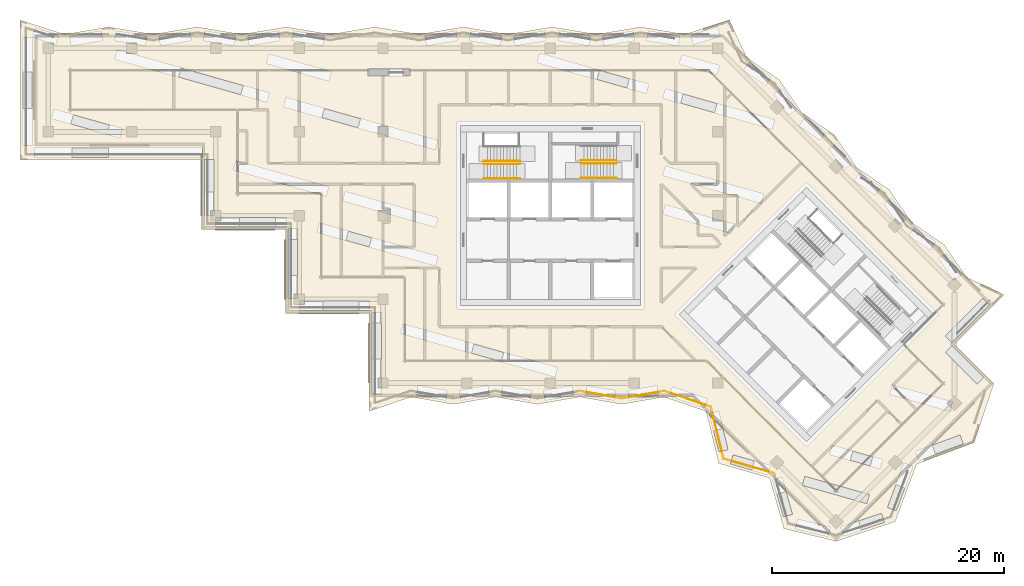
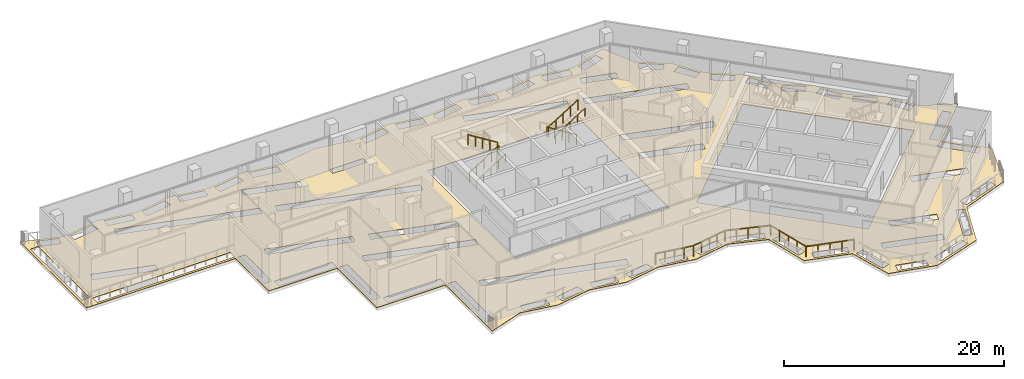
# One storey, part 15 of 19: 11 railings, 1 covering.
"""IFC4 building model written with IfcOpenShell, lengths in metres."""

from ifc_helpers import new_model, si_unit, direction, frame, origin, origin_2d, place, context, subcontext, project, spatial, polyline, circle, outline, extrude, material, layer, layer_set, type_object, element, save


model = new_model("IFC4")

# Units and contexts
model_context = context("Model", 3, precision=1e-05, world=origin(), true_north=direction((0.0, 1.0)))
body_context = subcontext(model_context, "Body", "Model", "MODEL_VIEW")
ifc_project = project(units=[si_unit("LENGTHUNIT", "METRE"), si_unit("AREAUNIT", "SQUARE_METRE"), si_unit("VOLUMEUNIT", "CUBIC_METRE"), si_unit("PLANEANGLEUNIT", "RADIAN"), si_unit("MASSUNIT", "GRAM", prefix="KILO")], contexts=[model_context])

# Site, building, storey
site_placement = place(None, origin())
site = spatial("IfcSite", under=ifc_project, at=site_placement, CompositionType="ELEMENT")
building_placement = place(site_placement, origin())
building = spatial("IfcBuilding", under=site, at=building_placement, Name="Windrow Commons", CompositionType="ELEMENT")
storey_placement = place(building_placement, frame((0.0, 0.0, 176.2)))
storey = spatial("IfcBuildingStorey", under=building, at=storey_placement, Name="L48", CompositionType="ELEMENT", Elevation=176.2)

# Railings
ifc_material_1 = material(Name="Steel S355", Category="steel")
railing_type_1 = type_object("IfcRailingType", Name="Core stair guard 1100", PredefinedType="GUARDRAIL", material=ifc_material_1)
railing_1_placement = place(storey_placement, frame((59.1, 62.05, 0.175)))
element("IfcRailing", 1, at=railing_1_placement, inside=storey, type_object=railing_type_1, Name="L48 ST-A1 stair guard 1", PredefinedType="GUARDRAIL", context=body_context, shape_type="SweptSolid", body=[
    extrude(circle(Radius=0.024, at=origin_2d()), frame((0.0, 0.0, 1.076), z_axis=(0.847998304, 0.0, 0.52999894), x_axis=(0.0, 1.0, 0.0)), (0.0, 0.0, 1.0), 3.6321),
    extrude(circle(Radius=0.021, at=origin_2d()), origin(), (0.0, 0.0, 1.0), 1.052),
    extrude(circle(Radius=0.021, at=origin_2d()), frame((0.77, 0.0, 0.4813)), (0.0, 0.0, 1.0), 1.052),
    extrude(circle(Radius=0.021, at=origin_2d()), frame((1.54, 0.0, 0.9625)), (0.0, 0.0, 1.0), 1.052),
    extrude(circle(Radius=0.021, at=origin_2d()), frame((2.31, 0.0, 1.4438)), (0.0, 0.0, 1.0), 1.052),
    extrude(circle(Radius=0.021, at=origin_2d()), frame((3.08, 0.0, 1.925)), (0.0, 0.0, 1.0), 1.052),
])
for number, where, name in (
    (2, (62.18, 62.3, 2.275), "L48 ST-A1 stair guard 2"),
    (3, (70.5, 62.355, 0.175), "L48 ST-A2 stair guard 1"),
):
    element("IfcRailing", number, at=place(storey_placement, frame(where)), inside=storey, type_object=railing_type_1, Name=name, PredefinedType="GUARDRAIL", context=body_context, shape_type="SweptSolid", body=[
        extrude(circle(Radius=0.024, at=origin_2d()), frame((0.0, 0.0, 1.076), z_axis=(-0.847998304, 0.0, 0.52999894), x_axis=(0.0, -1.0, 0.0)), (0.0, 0.0, 1.0), 3.6321),
        extrude(circle(Radius=0.021, at=origin_2d()), origin(), (0.0, 0.0, 1.0), 1.052),
        extrude(circle(Radius=0.021, at=origin_2d()), frame((-0.77, 0.0, 0.4813)), (0.0, 0.0, 1.0), 1.052),
        extrude(circle(Radius=0.021, at=origin_2d()), frame((-1.54, 0.0, 0.9625)), (0.0, 0.0, 1.0), 1.052),
        extrude(circle(Radius=0.021, at=origin_2d()), frame((-2.31, 0.0, 1.4438)), (0.0, 0.0, 1.0), 1.052),
        extrude(circle(Radius=0.021, at=origin_2d()), frame((-3.08, 0.0, 1.925)), (0.0, 0.0, 1.0), 1.052),
    ])
railing_2_placement = place(storey_placement, frame((67.42, 62.105, 2.275)))
element("IfcRailing", 4, at=railing_2_placement, inside=storey, type_object=railing_type_1, Name="L48 ST-A2 stair guard 2", PredefinedType="GUARDRAIL", context=body_context, shape_type="SweptSolid", body=[
    extrude(circle(Radius=0.024, at=origin_2d()), frame((0.0, 0.0, 1.076), z_axis=(0.847998304, 0.0, 0.52999894), x_axis=(0.0, 1.0, 0.0)), (0.0, 0.0, 1.0), 3.6321),
    extrude(circle(Radius=0.021, at=origin_2d()), origin(), (0.0, 0.0, 1.0), 1.052),
    extrude(circle(Radius=0.021, at=origin_2d()), frame((0.77, 0.0, 0.4813)), (0.0, 0.0, 1.0), 1.052),
    extrude(circle(Radius=0.021, at=origin_2d()), frame((1.54, 0.0, 0.9625)), (0.0, 0.0, 1.0), 1.052),
    extrude(circle(Radius=0.021, at=origin_2d()), frame((2.31, 0.0, 1.4438)), (0.0, 0.0, 1.0), 1.052),
    extrude(circle(Radius=0.021, at=origin_2d()), frame((3.08, 0.0, 1.925)), (0.0, 0.0, 1.0), 1.052),
])
ifc_material_2 = material(Name="Steel S355", Category="steel")
railing_type_2 = type_object("IfcRailingType", Name="Core stair handrail 900", PredefinedType="HANDRAIL", material=ifc_material_2)
for number, where, name in (
    (5, (59.1, 60.8, 0.175), "L48 ST-A1 stair handrail 1"),
    (6, (67.42, 60.855, 2.275), "L48 ST-A2 stair handrail 2"),
):
    element("IfcRailing", number, at=place(storey_placement, frame(where)), inside=storey, type_object=railing_type_2, Name=name, PredefinedType="HANDRAIL", context=body_context, shape_type="SweptSolid", body=[
        extrude(circle(Radius=0.024, at=origin_2d()), frame((0.0, 0.0, 0.876), z_axis=(0.847998304, 0.0, 0.52999894), x_axis=(0.0, 1.0, 0.0)), (0.0, 0.0, 1.0), 3.6321),
        extrude(circle(Radius=0.021, at=origin_2d()), origin(), (0.0, 0.0, 1.0), 0.852),
        extrude(circle(Radius=0.021, at=origin_2d()), frame((0.77, 0.0, 0.4813)), (0.0, 0.0, 1.0), 0.852),
        extrude(circle(Radius=0.021, at=origin_2d()), frame((1.54, 0.0, 0.9625)), (0.0, 0.0, 1.0), 0.852),
        extrude(circle(Radius=0.021, at=origin_2d()), frame((2.31, 0.0, 1.4438)), (0.0, 0.0, 1.0), 0.852),
        extrude(circle(Radius=0.021, at=origin_2d()), frame((3.08, 0.0, 1.925)), (0.0, 0.0, 1.0), 0.852),
    ])
ifc_material_3 = material(Name="Stainless steel S316 balustrade with toughened glass infill", Category="steel")
railing_type_3 = type_object("IfcRailingType", Name="Terrace guard 1200 podium", PredefinedType="BALUSTRADE", material=ifc_material_3)
railing_3_placement = place(storey_placement, frame((70.9417, 41.8746, 0.05)))
element("IfcRailing", 7, at=railing_3_placement, inside=storey, type_object=railing_type_3, Name="Guard TR-L48-1.E1", PredefinedType="BALUSTRADE", context=body_context, shape_type="SweptSolid", body=[
    extrude(circle(Radius=0.025, at=origin_2d()), frame((0.0, 0.0, 1.175), z_axis=(-0.9850825833, 0.1720822594, 0.0), x_axis=(-0.1720822594, -0.9850825833, 0.0)), (0.0, 0.0, 1.0), 3.6785),
    extrude(circle(Radius=0.02, at=origin_2d()), origin(), (0.0, 0.0, 1.0), 1.15),
    extrude(circle(Radius=0.02, at=origin_2d()), frame((-0.9059, 0.1582, 0.0)), (0.0, 0.0, 1.0), 1.15),
    extrude(circle(Radius=0.02, at=origin_2d()), frame((-1.8118, 0.3165, 0.0)), (0.0, 0.0, 1.0), 1.15),
    extrude(circle(Radius=0.02, at=origin_2d()), frame((-2.7177, 0.4747, 0.0)), (0.0, 0.0, 1.0), 1.15),
    extrude(circle(Radius=0.02, at=origin_2d()), frame((-3.6236, 0.633, 0.0)), (0.0, 0.0, 1.0), 1.15),
])
railing_4_placement = place(storey_placement, frame((84.0487, 35.4334, 0.05)))
element("IfcRailing", 8, at=railing_4_placement, inside=storey, type_object=railing_type_3, Name="Guard TR-L48-1.E42", PredefinedType="BALUSTRADE", context=body_context, shape_type="SweptSolid", body=[
    extrude(circle(Radius=0.025, at=origin_2d()), frame((0.0, 0.0, 1.175), z_axis=(-0.961598291, 0.2744607927, 0.0), x_axis=(-0.2744607927, -0.961598291, 0.0)), (0.0, 0.0, 1.0), 4.5154),
    extrude(circle(Radius=0.02, at=origin_2d()), origin(), (0.0, 0.0, 1.0), 1.15),
    extrude(circle(Radius=0.02, at=origin_2d()), frame((-1.0855, 0.3098, 0.0)), (0.0, 0.0, 1.0), 1.15),
    extrude(circle(Radius=0.02, at=origin_2d()), frame((-2.171, 0.6197, 0.0)), (0.0, 0.0, 1.0), 1.15),
    extrude(circle(Radius=0.02, at=origin_2d()), frame((-3.2565, 0.9295, 0.0)), (0.0, 0.0, 1.0), 1.15),
    extrude(circle(Radius=0.02, at=origin_2d()), frame((-4.342, 1.2393, 0.0)), (0.0, 0.0, 1.0), 1.15),
])
railing_5_placement = place(storey_placement, frame((79.7067, 36.6727, 0.05)))
element("IfcRailing", 9, at=railing_5_placement, inside=storey, type_object=railing_type_3, Name="Guard TR-L48-1.E43", PredefinedType="BALUSTRADE", context=body_context, shape_type="SweptSolid", body=[
    extrude(circle(Radius=0.025, at=origin_2d()), frame((0.0, 0.0, 1.175), z_axis=(-0.2379513888, 0.9712770648, 0.0), x_axis=(-0.9712770648, -0.2379513888, 0.0)), (0.0, 0.0, 1.0), 4.6119),
    extrude(circle(Radius=0.02, at=origin_2d()), origin(), (0.0, 0.0, 1.0), 1.15),
    extrude(circle(Radius=0.02, at=origin_2d()), frame((-0.2743, 1.1198, 0.0)), (0.0, 0.0, 1.0), 1.15),
    extrude(circle(Radius=0.02, at=origin_2d()), frame((-0.5487, 2.2397, 0.0)), (0.0, 0.0, 1.0), 1.15),
    extrude(circle(Radius=0.02, at=origin_2d()), frame((-0.823, 3.3595, 0.0)), (0.0, 0.0, 1.0), 1.15),
    extrude(circle(Radius=0.02, at=origin_2d()), frame((-1.0974, 4.4794, 0.0)), (0.0, 0.0, 1.0), 1.15),
])
railing_6_placement = place(storey_placement, frame((78.6093, 41.1521, 0.05)))
element("IfcRailing", 10, at=railing_6_placement, inside=storey, type_object=railing_type_3, Name="Guard TR-L48-1.E44", PredefinedType="BALUSTRADE", context=body_context, shape_type="SweptSolid", body=[
    extrude(circle(Radius=0.025, at=origin_2d()), frame((0.0, 0.0, 1.175), z_axis=(-0.9466905675, 0.3221443302, 0.0), x_axis=(-0.3221443302, -0.9466905675, 0.0)), (0.0, 0.0, 1.0), 4.2295),
    extrude(circle(Radius=0.02, at=origin_2d()), origin(), (0.0, 0.0, 1.0), 1.15),
    extrude(circle(Radius=0.02, at=origin_2d()), frame((-1.001, 0.3406, 0.0)), (0.0, 0.0, 1.0), 1.15),
    extrude(circle(Radius=0.02, at=origin_2d()), frame((-2.002, 0.6813, 0.0)), (0.0, 0.0, 1.0), 1.15),
    extrude(circle(Radius=0.02, at=origin_2d()), frame((-3.003, 1.0219, 0.0)), (0.0, 0.0, 1.0), 1.15),
    extrude(circle(Radius=0.02, at=origin_2d()), frame((-4.004, 1.3625, 0.0)), (0.0, 0.0, 1.0), 1.15),
])
railing_7_placement = place(storey_placement, frame((74.6053, 42.5146, 0.05)))
element("IfcRailing", 11, at=railing_7_placement, inside=storey, type_object=railing_type_3, Name="Guard TR-L48-1.E45", PredefinedType="BALUSTRADE", context=body_context, shape_type="SweptSolid", body=[
    extrude(circle(Radius=0.025, at=origin_2d()), frame((0.0, 0.0, 1.175), z_axis=(-0.9850820148, -0.1720855141, 0.0), x_axis=(0.1720855141, -0.9850820148, 0.0)), (0.0, 0.0, 1.0), 3.7191),
    extrude(circle(Radius=0.02, at=origin_2d()), origin(), (0.0, 0.0, 1.0), 1.15),
    extrude(circle(Radius=0.02, at=origin_2d()), frame((-0.9159, -0.16, 0.0)), (0.0, 0.0, 1.0), 1.15),
    extrude(circle(Radius=0.02, at=origin_2d()), frame((-1.8318, -0.32, 0.0)), (0.0, 0.0, 1.0), 1.15),
    extrude(circle(Radius=0.02, at=origin_2d()), frame((-2.7477, -0.48, 0.0)), (0.0, 0.0, 1.0), 1.15),
    extrude(circle(Radius=0.02, at=origin_2d()), frame((-3.6636, -0.64, 0.0)), (0.0, 0.0, 1.0), 1.15),
])

# Covering
ifc_material_4 = material(Name="Granite paving", Category="masonry")
ifc_layer = layer(ifc_material_4, 0.05)
ifc_layer_set = layer_set([ifc_layer], Name="Terrace paving 50")
covering_type = type_object("IfcCoveringType", Name="Terrace paving 50", PredefinedType="FLOORING", material=ifc_layer_set)
covering_placement = place(storey_placement, origin())
element("IfcCovering", 12, at=covering_placement, inside=storey, type_object=covering_type, Name="Terrace paving TR-L48-1", PredefinedType="FLOORING", context=body_context, shape_type="SweptSolid", body=[
    extrude(outline(polyline([(67.3181, 42.0), (63.6944, 41.367), (60.0708, 42.0), (56.4472, 41.367), (52.8236, 42.0), (49.2, 40.767), (49.2, 49.2), (42.0, 49.2), (42.0, 56.4), (34.8, 56.4), (34.8, 62.367), (19.167, 62.367), (19.167, 74.433), (22.9818, 73.2), (26.7966, 73.833), (30.6114, 73.2), (34.4261, 73.833), (38.2409, 73.2), (42.0557, 73.833), (45.8705, 73.2), (49.6853, 73.833), (53.5001, 73.2), (57.3149, 73.833), (61.1297, 73.2), (64.9444, 73.833), (68.7592, 73.2), (72.574, 73.833), (76.3888, 73.2), (80.2036, 74.433), (81.6963, 71.2008), (84.5043, 69.2837), (86.4213, 66.4758), (89.2293, 64.5588), (91.1463, 61.7508), (93.9543, 59.8338), (95.8713, 57.0258), (98.6793, 55.1088), (100.5963, 52.3008), (103.8285, 50.808), (99.5647, 46.5442), (102.9588, 43.15), (102.1103, 40.6044), (101.2617, 38.0588), (96.312, 36.2204), (94.4735, 31.2706), (89.3823, 29.5736), (84.8869, 30.6749), (83.6442, 35.0289), (79.2902, 36.2716), (78.1889, 40.767), (74.5653, 42.0), (70.9417, 41.367), (67.3181, 42.0)]), holes=[polyline([(49.44, 42.2748), (50.26, 42.2748), (50.26, 49.25), (49.44, 49.25), (49.44, 42.2748)]), polyline([(49.25, 49.44), (49.25, 50.26), (43.25, 50.26), (43.25, 49.44), (49.25, 49.44)]), polyline([(42.24, 50.45), (43.06, 50.45), (43.06, 56.45), (42.24, 56.45), (42.24, 50.45)]), polyline([(44.9533, 56.9599), (44.7301, 56.1708), (54.8967, 53.2958), (55.1199, 54.0848), (44.9533, 56.9599)]), polyline([(42.05, 56.64), (42.05, 57.46), (36.05, 57.46), (36.05, 56.64), (42.05, 56.64)]), polyline([(47.1583, 59.6618), (46.9351, 58.8728), (54.8967, 56.6213), (55.1199, 57.4103), (47.1583, 59.6618)]), polyline([(35.04, 57.65), (35.86, 57.65), (35.86, 62.417), (35.04, 62.417), (35.04, 57.65)]), polyline([(37.7533, 62.3215), (37.5301, 61.5325), (45.4917, 59.2809), (45.7149, 60.07), (37.7533, 62.3215)]), polyline([(34.85, 62.607), (34.85, 63.427), (20.417, 63.427), (20.417, 62.607), (34.85, 62.607)]), polyline([(42.053, 67.7566), (41.8299, 66.9675), (54.8967, 63.2722), (55.1199, 64.0613), (42.053, 67.7566)]), polyline([(22.1203, 66.7425), (21.8971, 65.9534), (27.7559, 64.2966), (27.979, 65.0856), (22.1203, 66.7425)]), polyline([(19.407, 63.617), (20.227, 63.617), (20.227, 72.9398), (19.407, 72.9398), (19.407, 63.617)]), polyline([(27.5428, 71.86), (27.3196, 71.0709), (40.3865, 67.3757), (40.6096, 68.1647), (27.5428, 71.86)]), polyline([(52.7274, 70.25), (49.1274, 70.25), (49.1274, 69.6), (52.7274, 69.6), (52.7274, 70.25)]), polyline([(40.5963, 71.494), (40.3731, 70.705), (45.7098, 69.1958), (45.933, 69.9848), (40.5963, 71.494)]), polyline([(23.4571, 73.0356), (23.5913, 72.2266), (26.2718, 72.6714), (26.1376, 73.4804), (23.4571, 73.0356)]), polyline([(38.7657, 73.0438), (38.8999, 72.2348), (41.5309, 72.6714), (41.3967, 73.4804), (38.7657, 73.0438)]), polyline([(42.7147, 73.4804), (42.5805, 72.6714), (45.2115, 72.2348), (45.3457, 73.0438), (42.7147, 73.4804)]), polyline([(35.0851, 73.4804), (34.9509, 72.6714), (37.5819, 72.2348), (37.7161, 73.0438), (35.0851, 73.4804)]), polyline([(31.1362, 73.0438), (31.2704, 72.2348), (33.9013, 72.6714), (33.7671, 73.4804), (31.1362, 73.0438)]), polyline([(27.4556, 73.4804), (27.3214, 72.6714), (29.9524, 72.2348), (30.0866, 73.0438), (27.4556, 73.4804)]), polyline([(20.514, 73.7454), (20.2618, 72.9651), (22.2353, 72.3273), (22.4875, 73.1076), (20.514, 73.7454)]), polyline([(79.2907, 37.2782), (80.0872, 37.4733), (79.2765, 40.7824), (78.48, 40.5873), (79.2907, 37.2782)]), polyline([(78.0354, 41.0727), (78.2996, 41.849), (75.3174, 42.8638), (75.0532, 42.0875), (78.0354, 41.0727)]), polyline([(70.2801, 41.7262), (70.4212, 42.5339), (67.9797, 42.9604), (67.8386, 42.1527), (70.2801, 41.7262)]), polyline([(66.7976, 42.1527), (66.6565, 42.9604), (64.2149, 42.5339), (64.356, 41.7262), (66.7976, 42.1527)]), polyline([(63.0328, 41.7262), (63.1739, 42.5339), (60.7324, 42.9604), (60.5913, 42.1527), (63.0328, 41.7262)]), polyline([(59.5503, 42.1527), (59.4092, 42.9604), (56.9677, 42.5339), (57.1088, 41.7262), (59.5503, 42.1527)]), polyline([(55.7856, 41.7262), (55.9267, 42.5339), (53.4332, 42.9695), (53.2921, 42.1618), (55.7856, 41.7262)]), polyline([(74.0968, 42.1618), (73.9557, 42.9695), (71.4622, 42.5339), (71.6033, 41.7262), (74.0968, 42.1618)]), polyline([(52.1533, 48.2728), (51.9301, 47.4837), (65.1865, 43.7349), (65.4096, 44.5239), (52.1533, 48.2728)]), polyline([(74.7033, 58.5232), (74.4801, 57.7341), (80.3511, 56.0739), (80.5743, 56.8629), (74.7033, 58.5232)]), polyline([(72.85, 65.65), (56.75, 65.65), (56.75, 49.55), (72.85, 49.55), (72.85, 65.65)]), polyline([(74.7033, 61.8487), (74.4801, 61.0596), (82.9435, 58.6662), (83.1666, 59.4553), (74.7033, 61.8487)]), polyline([(74.7037, 68.4996), (74.4805, 67.7105), (83.8587, 65.0584), (84.0819, 65.8475), (74.7037, 68.4996)]), polyline([(63.882, 71.5599), (63.6589, 70.7708), (73.0371, 68.1187), (73.2603, 68.9078), (63.882, 71.5599)]), polyline([(76.122, 71.424), (75.8988, 70.6349), (79.1222, 69.7234), (79.3454, 70.5124), (76.122, 71.424)]), polyline([(73.233, 73.4804), (73.0988, 72.6714), (75.7793, 72.2266), (75.9135, 73.0356), (73.233, 73.4804)]), polyline([(54.0249, 73.0438), (54.1591, 72.2348), (56.7901, 72.6714), (56.6559, 73.4804), (54.0249, 73.0438)]), polyline([(57.9739, 73.4804), (57.8397, 72.6714), (60.4707, 72.2348), (60.6049, 73.0438), (57.9739, 73.4804)]), polyline([(69.284, 73.0438), (69.4182, 72.2348), (72.0492, 72.6714), (71.915, 73.4804), (69.284, 73.0438)]), polyline([(65.6034, 73.4804), (65.4692, 72.6714), (68.1002, 72.2348), (68.2344, 73.0438), (65.6034, 73.4804)]), polyline([(61.6545, 73.0438), (61.7887, 72.2348), (64.4196, 72.6714), (64.2854, 73.4804), (61.6545, 73.0438)]), polyline([(76.8831, 73.1076), (77.1353, 72.3273), (79.4103, 73.0626), (79.1581, 73.8429), (76.8831, 73.1076)]), polyline([(88.6744, 29.9941), (88.8695, 30.7906), (86.0886, 31.4719), (85.8935, 30.6754), (88.6744, 29.9941)]), polyline([(93.533, 31.2101), (93.2737, 31.988), (89.7943, 30.8283), (90.0536, 30.0504), (93.533, 31.2101)]), polyline([(84.8494, 31.6808), (85.6379, 31.9059), (84.729, 35.0904), (83.9405, 34.8653), (84.8494, 31.6808)]), polyline([(86.6935, 35.1794), (86.4704, 34.3904), (92.0248, 32.8196), (92.2479, 33.6087), (86.6935, 35.1794)]), polyline([(95.9818, 36.0208), (95.2131, 36.3063), (93.7972, 32.494), (94.5659, 32.2085), (95.9818, 36.0208)]), polyline([(83.4806, 35.3252), (83.7057, 36.1137), (80.5212, 37.0226), (80.2961, 36.2341), (83.4806, 35.3252)]), polyline([(89.0541, 37.8374), (88.831, 37.0483), (93.1426, 35.829), (93.3657, 36.6181), (89.0541, 37.8374)]), polyline([(100.3238, 37.9664), (100.0383, 38.7351), (96.2261, 37.3193), (96.5116, 36.5506), (100.3238, 37.9664)]), polyline([(94.2389, 43.0221), (94.0157, 42.2331), (99.1635, 40.7773), (99.3866, 41.5664), (94.2389, 43.0221)]), polyline([(99.3597, 46.4098), (98.7798, 45.83), (101.5009, 43.1088), (102.0808, 43.6886), (99.3597, 46.4098)]), polyline([(102.5755, 49.8944), (101.9957, 50.4742), (98.7799, 47.2584), (99.3597, 46.6786), (102.5755, 49.8944)]), polyline([(98.2212, 49.0897), (86.8368, 60.4742), (75.4523, 49.0897), (86.8368, 37.7053), (98.2212, 49.0897)]), polyline([(98.8885, 54.3767), (98.2113, 53.9144), (99.4838, 52.0504), (100.161, 52.5127), (98.8885, 54.3767)]), polyline([(96.1303, 56.5584), (95.668, 55.8812), (97.4849, 54.6408), (97.9472, 55.318), (96.1303, 56.5584)]), polyline([(94.1635, 59.1017), (93.4863, 58.6394), (94.7267, 56.8225), (95.4039, 57.2848), (94.1635, 59.1017)]), polyline([(91.4053, 61.2834), (90.943, 60.6062), (92.7599, 59.3658), (93.2222, 60.043), (91.4053, 61.2834)]), polyline([(89.4385, 63.8267), (88.7613, 63.3644), (90.0017, 61.5475), (90.6789, 62.0098), (89.4385, 63.8267)]), polyline([(86.6803, 66.0084), (86.218, 65.3312), (88.0349, 64.0908), (88.4972, 64.768), (86.6803, 66.0084)]), polyline([(84.7135, 68.5516), (84.0363, 68.0893), (85.2767, 66.2725), (85.9539, 66.7348), (84.7135, 68.5516)]), polyline([(81.9082, 70.7655), (81.4459, 70.0883), (83.3099, 68.8157), (83.7722, 69.4929), (81.9082, 70.7655)])]), origin(), (0.0, 0.0, 1.0), 0.05),
])

save(model, "model.ifc")
